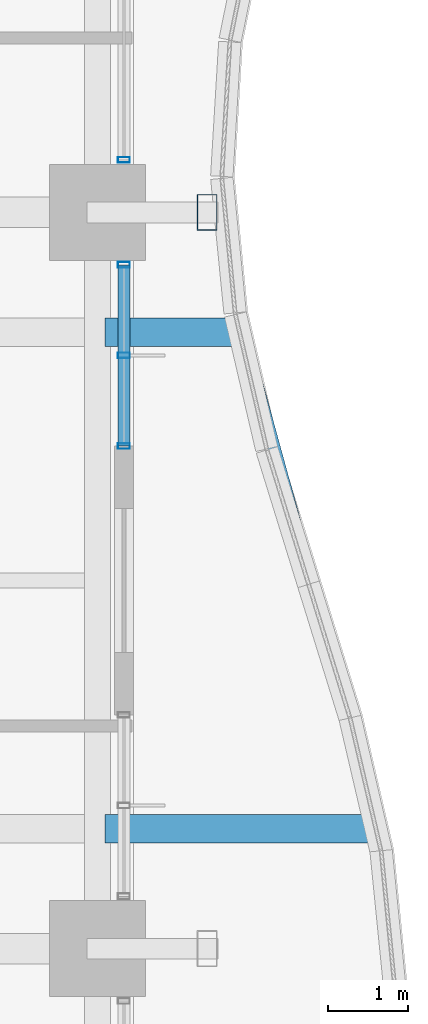
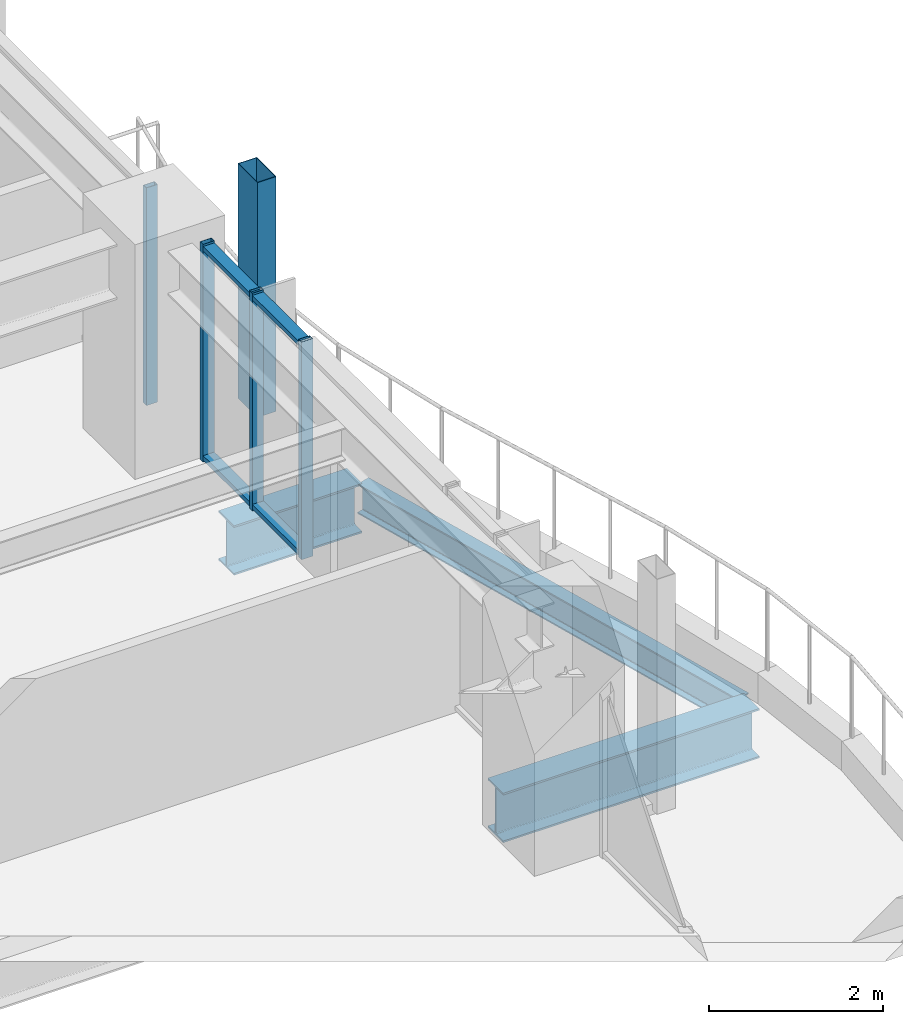
# One storey, part 16 of 36: 7 members, 3 beams, 2 elements without a shape of their own.
"""IFC4 building model written with IfcOpenShell, lengths in metres."""

from ifc_helpers import new_model, si_unit, direction, frame, origin, origin_2d, place, context, subcontext, project, spatial, hollow_rectangle, i_section, extrude, material, material_profile, profile_set, type_object, element, aggregate, save


model = new_model("IFC4")

# Units and contexts
model_context = context("Model", 3, precision=1e-05, world=origin(), true_north=direction((0.0, 1.0)))
body_context = subcontext(model_context, "Body", "Model", "MODEL_VIEW")
ifc_project = project(units=[si_unit("LENGTHUNIT", "METRE"), si_unit("AREAUNIT", "SQUARE_METRE"), si_unit("VOLUMEUNIT", "CUBIC_METRE"), si_unit("PLANEANGLEUNIT", "RADIAN"), si_unit("MASSUNIT", "GRAM", prefix="KILO")], contexts=[model_context])

# Site, building, storey
site_placement = place(None, origin())
site = spatial("IfcSite", under=ifc_project, at=site_placement, CompositionType="ELEMENT")
building_placement = place(site_placement, origin())
building = spatial("IfcBuilding", under=site, at=building_placement, Name="Kolvaren Belvedere", CompositionType="ELEMENT")
storey_placement = place(building_placement, frame((0.0, 0.0, 46.89990234375)))
storey = spatial("IfcBuildingStorey", under=building, at=storey_placement, Name="L13", CompositionType="ELEMENT", Elevation=46.89990234375)

# Beams
ifc_material_1 = material(Name="Structural steel ASTM A992 Grade 50", Category="steel")
ifc_material_profile_1 = material_profile(ifc_material_1, i_section(OverallWidth=0.35498046875, OverallDepth=0.696044921875, WebThickness=0.015380859375, FlangeThickness=0.02490234375, FilletRadius=0.02197265625, at=origin_2d()), Name="W27X146")
ifc_profile_set_1 = profile_set([ifc_material_profile_1], Name="Structural steel ASTM A992 Grade 50")
beam_type_1 = type_object("IfcBeamType", Name="BM-CANT-BAL", PredefinedType="BEAM", material=ifc_profile_set_1)
beam_1_placement = place(storey_placement, frame((21.64501953125, -3.10009765625, -0.587890625), z_axis=(1.0, 0.0, 0.0), x_axis=(0.0, 1.0, 0.0)))
element("IfcBeam", 1, at=beam_1_placement, inside=storey, type_object=beam_type_1, Name="L13 Planted Balcony Cantilever BAL-E-1", PredefinedType="BEAM", context=body_context, shape_type="SweptSolid", body=[
    extrude(i_section(OverallWidth=0.35498046875, OverallDepth=0.696044921875, WebThickness=0.015380859375, FlangeThickness=0.02490234375, FilletRadius=0.02197265625, at=origin_2d()), origin(), (0.0, 0.0, 1.0), 3.40625),
])
beam_2_placement = place(storey_placement, frame((21.64501953125, 3.10009765625, -0.587890625), z_axis=(1.0, 0.0, 0.0), x_axis=(0.0, 1.0, 0.0)))
element("IfcBeam", 2, at=beam_2_placement, inside=storey, type_object=beam_type_1, Name="L13 Planted Balcony Cantilever BAL-E-2", PredefinedType="BEAM", context=body_context, shape_type="SweptSolid", body=[
    extrude(i_section(OverallWidth=0.35498046875, OverallDepth=0.696044921875, WebThickness=0.015380859375, FlangeThickness=0.02490234375, FilletRadius=0.02197265625, at=origin_2d()), origin(), (0.0, 0.0, 1.0), 1.70361328125),
])
ifc_material_2 = material(Name="Structural steel ASTM A992 Grade 50", Category="steel")
ifc_material_profile_2 = material_profile(ifc_material_2, i_section(OverallWidth=0.180908203125, OverallDepth=0.4169921875, WebThickness=0.010986328125, FlangeThickness=0.018310546875, FilletRadius=0.013916015625, at=origin_2d()), Name="W16X57")
ifc_profile_set_2 = profile_set([ifc_material_profile_2], Name="Structural steel ASTM A992 Grade 50")
beam_type_2 = type_object("IfcBeamType", Name="BM-EDGE-W16X57", PredefinedType="BEAM", material=ifc_profile_set_2)
beam_3_placement = place(storey_placement, frame((25.01416015625, -2.965087890625, -0.448486328125), z_axis=(-0.26479660726, 0.964304286407, 0.0), x_axis=(-0.964304286407, -0.26479660726, 0.0)))
element("IfcBeam", 3, at=beam_3_placement, inside=storey, type_object=beam_type_2, Name="L13 Balcony Tip Header Beam BAL-E", PredefinedType="BEAM", context=body_context, shape_type="SweptSolid", body=[
    extrude(i_section(OverallWidth=0.180908203125, OverallDepth=0.4169921875, WebThickness=0.010986328125, FlangeThickness=0.018310546875, FilletRadius=0.013916015625, at=origin_2d()), origin(), (0.0, 0.0, 1.0), 6.149658203125),
])

# Curtain wall, member
ifc_material_3 = material(Name="Anodised pale-metal aluminium AA 6063-T6", Category="aluminium")
curtain_wall_type = type_object("IfcCurtainWallType", Name="CW-Z1-LOW", PredefinedType="NOTDEFINED", material=ifc_material_3)
curtain_wall_1_placement = place(storey_placement, origin())
curtain_wall_1 = element("IfcCurtainWall", 4, at=curtain_wall_1_placement, inside=storey, type_object=curtain_wall_type, Name="L13 Unitised Curtain Wall FCW-L13-E1-B1", PredefinedType="NOTDEFINED")
ifc_material_4 = material(Name="Anodised pale-metal aluminium AA 6063-T6", Category="aluminium")
ifc_material_profile_3 = material_profile(ifc_material_4, hollow_rectangle(XDim=0.070068359375, YDim=0.14990234375, WallThickness=0.004150390625, at=origin_2d()), Name="ALU-MUL-150X70")
ifc_profile_set_3 = profile_set([ifc_material_profile_3], Name="Anodised pale-metal aluminium AA 6063-T6")
member_type_1 = type_object("IfcMemberType", Name="CW-MUL-150", PredefinedType="MULLION", material=ifc_profile_set_3)
member_1_placement = place(storey_placement, frame((21.8798828125, 5.2548828125, 0.0), z_axis=(0.0, 0.0, 1.0), x_axis=(0.0, 1.0, 0.0)))
member_1 = element("IfcMember", 5, at=member_1_placement, type_object=member_type_1, Name="FCW-L13-E1-B1 Unitised Mullion 3", PredefinedType="MULLION", context=body_context, shape_type="SweptSolid", body=[
    extrude(hollow_rectangle(XDim=0.070068359375, YDim=0.14990234375, WallThickness=0.004150390625, at=origin_2d()), origin(), (0.0, 0.0, 1.0), 3.06005859375),
])
aggregate(curtain_wall_1, [member_1])

# Curtain wall, members
curtain_wall_2_placement = place(storey_placement, origin())
curtain_wall_2 = element("IfcCurtainWall", 6, at=curtain_wall_2_placement, inside=storey, type_object=curtain_wall_type, Name="L13 Unitised Curtain Wall FCW-L13-E1-B2", PredefinedType="NOTDEFINED")
member_2_placement = place(storey_placement, frame((21.8798828125, 3.945068359375, 0.0), z_axis=(0.0, 0.0, 1.0), x_axis=(0.0, 1.0, 0.0)))
member_2 = element("IfcMember", 7, at=member_2_placement, type_object=member_type_1, Name="FCW-L13-E1-B2 Unitised Mullion 1", PredefinedType="MULLION", context=body_context, shape_type="SweptSolid", body=[
    extrude(hollow_rectangle(XDim=0.070068359375, YDim=0.14990234375, WallThickness=0.004150390625, at=origin_2d()), origin(), (0.0, 0.0, 1.0), 3.06005859375),
])
member_3_placement = place(storey_placement, frame((21.8798828125, 2.8125, 0.0), z_axis=(0.0, 0.0, 1.0), x_axis=(0.0, 1.0, 0.0)))
member_3 = element("IfcMember", 8, at=member_3_placement, type_object=member_type_1, Name="FCW-L13-E1-B2 Unitised Mullion 2", PredefinedType="MULLION", context=body_context, shape_type="SweptSolid", body=[
    extrude(hollow_rectangle(XDim=0.070068359375, YDim=0.14990234375, WallThickness=0.004150390625, at=origin_2d()), origin(), (0.0, 0.0, 1.0), 3.06005859375),
])
member_4_placement = place(storey_placement, frame((21.8798828125, 1.679931640625, 0.0), z_axis=(0.0, 0.0, 1.0), x_axis=(0.0, 1.0, 0.0)))
member_4 = element("IfcMember", 9, at=member_4_placement, type_object=member_type_1, Name="FCW-L13-E1-B2 Unitised Mullion 3", PredefinedType="MULLION", context=body_context, shape_type="SweptSolid", body=[
    extrude(hollow_rectangle(XDim=0.070068359375, YDim=0.14990234375, WallThickness=0.004150390625, at=origin_2d()), origin(), (0.0, 0.0, 1.0), 3.06005859375),
])
ifc_material_5 = material(Name="Anodised pale-metal aluminium AA 6063-T6", Category="aluminium")
ifc_material_profile_4 = material_profile(ifc_material_5, hollow_rectangle(XDim=0.06494140625, YDim=0.14990234375, WallThickness=0.00390625, at=origin_2d()), Name="ALU-TRN-150X65")
ifc_profile_set_4 = profile_set([ifc_material_profile_4], Name="Anodised pale-metal aluminium AA 6063-T6")
member_type_2 = type_object("IfcMemberType", Name="CW-TRN-150", PredefinedType="USERDEFINED", material=ifc_profile_set_4)
member_5_placement = place(storey_placement, frame((21.8798828125, 3.945068359375, 0.06005859375), z_axis=(0.0, -1.0, 0.0), x_axis=(0.0, 0.0, 1.0)))
member_5 = element("IfcMember", 10, at=member_5_placement, type_object=member_type_2, Name="FCW-L13-E1-B2 Sill Transom", ObjectType="TRANSOM", PredefinedType="USERDEFINED", context=body_context, shape_type="SweptSolid", body=[
    extrude(hollow_rectangle(XDim=0.06494140625, YDim=0.14990234375, WallThickness=0.00390625, at=origin_2d()), origin(), (0.0, 0.0, 1.0), 2.26513671875),
])
member_6_placement = place(storey_placement, frame((21.8798828125, 3.945068359375, 3.0), z_axis=(0.0, -1.0, 0.0), x_axis=(0.0, 0.0, 1.0)))
member_6 = element("IfcMember", 11, at=member_6_placement, type_object=member_type_2, Name="FCW-L13-E1-B2 Head Transom", ObjectType="TRANSOM", PredefinedType="USERDEFINED", context=body_context, shape_type="SweptSolid", body=[
    extrude(hollow_rectangle(XDim=0.06494140625, YDim=0.14990234375, WallThickness=0.00390625, at=origin_2d()), origin(), (0.0, 0.0, 1.0), 2.26513671875),
])
aggregate(curtain_wall_2, [member_2, member_3, member_4, member_5, member_6])

# Member
ifc_material_6 = material(Name="Anodised pale-metal aluminium AA 6063-T6", Category="aluminium")
ifc_material_profile_5 = material_profile(ifc_material_6, hollow_rectangle(XDim=0.25, YDim=0.449951171875, WallThickness=0.008544921875, at=origin_2d()), Name="ALU-PF-450X250")
ifc_profile_set_5 = profile_set([ifc_material_profile_5], Name="Anodised pale-metal aluminium AA 6063-T6")
member_type_3 = type_object("IfcMemberType", Name="PF-FRAME-450", PredefinedType="USERDEFINED", material=ifc_profile_set_5)
member_7_placement = place(storey_placement, frame((22.919921875, 4.60009765625, 0.0), z_axis=(0.0, 0.0, 1.0), x_axis=(1.0, 0.0, 0.0)))
element("IfcMember", 12, at=member_7_placement, inside=storey, type_object=member_type_3, Name="L13 Outboard Picture-Frame Vertical E1", ObjectType="PICTURE FRAME FIN", PredefinedType="USERDEFINED", context=body_context, shape_type="SweptSolid", body=[
    extrude(hollow_rectangle(XDim=0.25, YDim=0.449951171875, WallThickness=0.008544921875, at=origin_2d()), origin(), (0.0, 0.0, 1.0), 3.300048828125),
])

save(model, "model.ifc")
